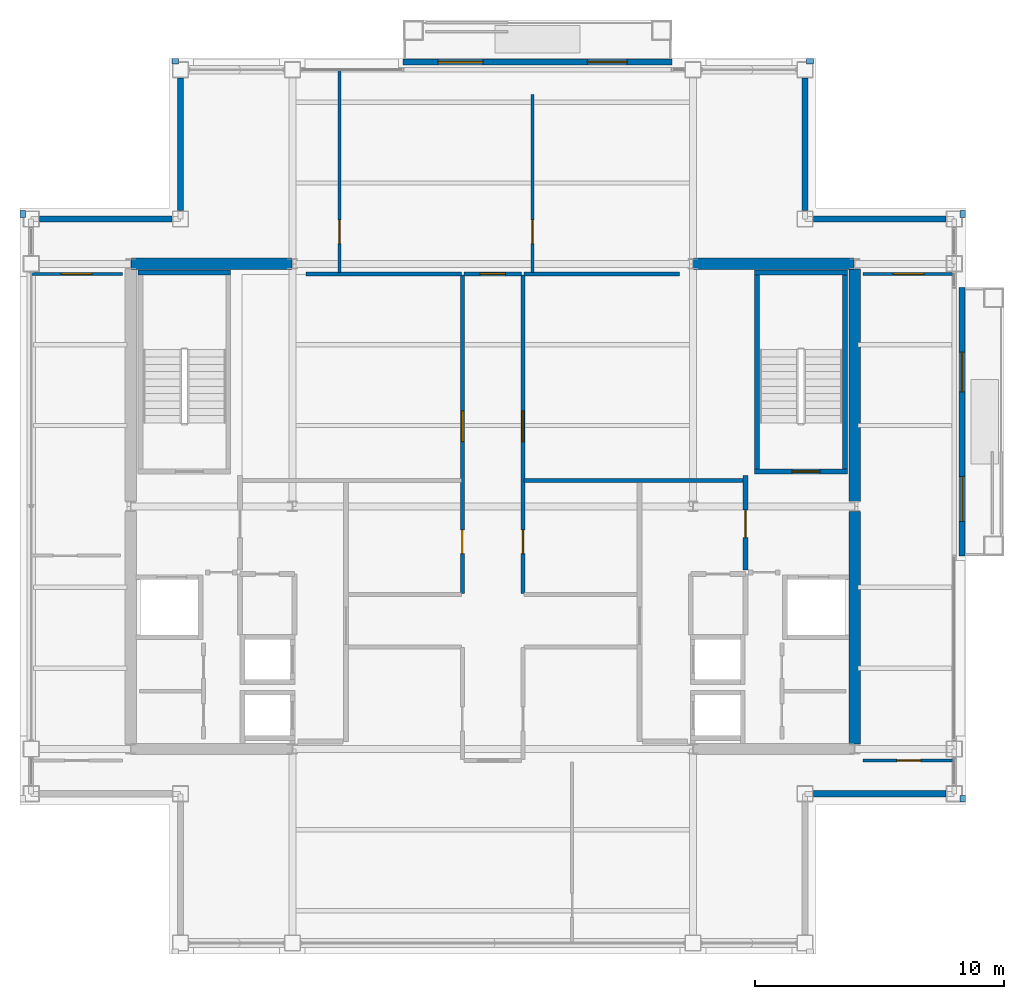
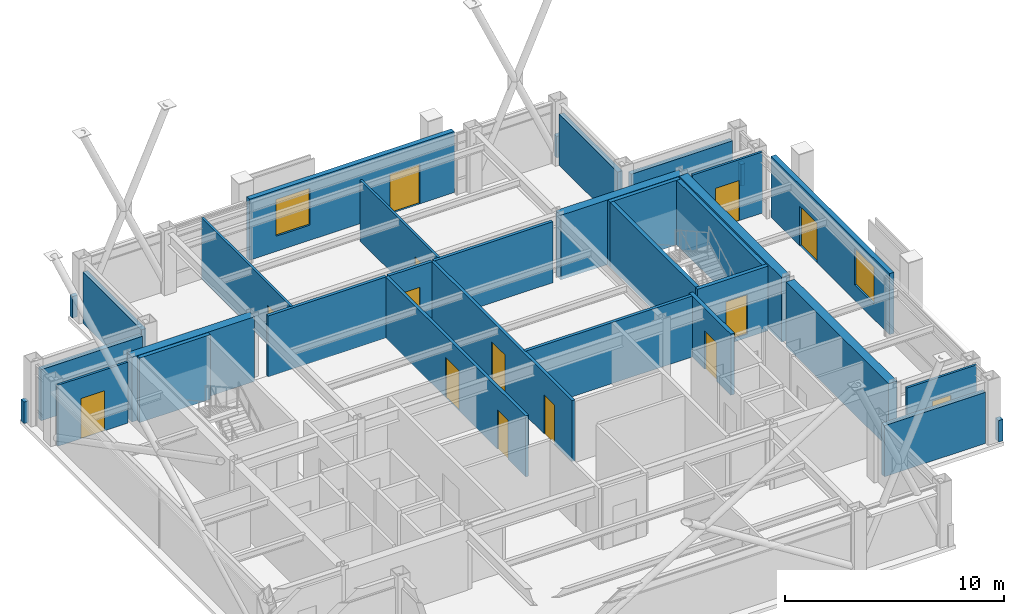
# One storey, part 25 of 28: 33 walls, 14 doors, 2 windows, 16 openings.
"""IFC4 building model written with IfcOpenShell, lengths in metres."""

from ifc_helpers import new_model, si_unit, direction, frame, frame_2d, origin, place, context, subcontext, project, spatial, rectangle, extrude, material, layer, layer_set, type_object, element, fill, save


model = new_model("IFC4")

# Units and contexts
model_context = context("Model", 3, precision=1e-05, world=origin(), true_north=direction((0.0, 1.0)))
body_context = subcontext(model_context, "Body", "Model", "MODEL_VIEW")
ifc_project = project(units=[si_unit("LENGTHUNIT", "METRE"), si_unit("AREAUNIT", "SQUARE_METRE"), si_unit("VOLUMEUNIT", "CUBIC_METRE"), si_unit("PLANEANGLEUNIT", "RADIAN"), si_unit("MASSUNIT", "GRAM", prefix="KILO")], contexts=[model_context])

# Site, building, storey
site_placement = place(None, origin())
site = spatial("IfcSite", under=ifc_project, at=site_placement, CompositionType="ELEMENT")
building_placement = place(site_placement, origin())
building = spatial("IfcBuilding", under=site, at=building_placement, Name="Brelmoor Portico Tower", CompositionType="ELEMENT")
storey_placement = place(building_placement, frame((0.0, 0.0, 225.60009765625)))
storey = spatial("IfcBuildingStorey", under=building, at=storey_placement, Name="L59", CompositionType="ELEMENT", Elevation=225.60009765625)

# Walls
ifc_material_1 = material(Name="Concrete C50", Category="concrete")
ifc_layer_1 = layer(ifc_material_1, 0.449951171875)
ifc_layer_set_1 = layer_set([ifc_layer_1], Name="Concrete C50")
wall_type_1 = type_object("IfcWallType", Name="WL-CORE-450", PredefinedType="SHEAR", material=ifc_layer_set_1)
for number, where, z_axis, x_axis, name in (
    (1, (-14.530029296875, 9.75, -0.2001953125), (0.0, 0.0, 1.0), (1.0, 0.0, 0.0), "L59 WC North Shear Wall"),
    (2, (8.070068359375, 9.75, -0.2001953125), (0.0, 0.0, 1.0), (1.0, 0.0, 0.0), "L59 EC North Shear Wall"),
):
    element("IfcWall", number, at=place(storey_placement, frame(where, z_axis=z_axis, x_axis=x_axis)), inside=storey, type_object=wall_type_1, Name=name, PredefinedType="SHEAR", context=body_context, shape_type="SweptSolid", body=[
        extrude(rectangle(XDim=6.4599609375, YDim=0.449951171875, at=frame_2d((3.22998046875, 0.0))), origin(), (0.0, 0.0, 1.0), 3.60009765625),
    ])
for number, where, z_axis, x_axis, name in (
    (3, (14.550048828125, -9.550048828125, -0.2001953125), (0.0, 0.0, 1.0), (0.0, 1.0, 0.0), "L59 EC Outer South Shear Wall"),
    (4, (14.550048828125, 0.199951171875, -0.2001953125), (0.0, 0.0, 1.0), (0.0, 1.0, 0.0), "L59 EC Outer North Shear Wall"),
):
    element("IfcWall", number, at=place(storey_placement, frame(where, z_axis=z_axis, x_axis=x_axis)), inside=storey, type_object=wall_type_1, Name=name, PredefinedType="SHEAR", context=body_context, shape_type="SweptSolid", body=[
        extrude(rectangle(XDim=9.35009765625, YDim=0.449951171875, at=frame_2d((4.675048828125, 0.0))), origin(), (0.0, 0.0, 1.0), 3.60009765625),
    ])

# Wall, openings, door, window
ifc_material_2 = material(Name="Precast Concrete C40 Insulated Facade Wall", Category="concrete")
ifc_layer_2 = layer(ifc_material_2, 0.25)
ifc_layer_set_2 = layer_set([ifc_layer_2], Name="Precast Concrete C40 Insulated Facade Wall")
wall_type_2 = type_object("IfcWallType", Name="WL-EXT-250", PredefinedType="STANDARD", material=ifc_layer_set_2)
wall_1_placement = place(storey_placement, frame((-3.60009765625, 17.860107421875, 0.0), z_axis=(0.0, 0.0, 1.0), x_axis=(1.0, 0.0, 0.0)))
wall_1 = element("IfcWall", 5, at=wall_1_placement, inside=storey, type_object=wall_type_2, Name="L59 Loggia Threshold Wall N-1", PredefinedType="STANDARD", context=body_context, shape_type="SweptSolid", body=[
    extrude(rectangle(XDim=10.800048828125, YDim=0.25, at=frame_2d((5.39990234375, 0.0))), origin(), (0.0, 0.0, 1.0), 3.39990234375),
])
opening_1_placement = place(wall_1_placement, frame((7.39990234375, 0.0, 0.0)))
opening_1 = element("IfcOpeningElement", 6, at=opening_1_placement, cuts=wall_1, Name="Opening D-TB1", PredefinedType="OPENING", context=body_context, shape_type="SweptSolid", body=[
    extrude(rectangle(XDim=1.60009765625, YDim=2.199951171875, at=frame_2d((0.800048828125, 1.10009765625))), frame((0.0, 0.135009765625, 0.0), z_axis=(0.0, -1.0, 0.0), x_axis=(1.0, 0.0, 0.0)), (0.0, 0.0, 1.0), 0.27001953125),
])
opening_2_placement = place(wall_1_placement, frame((1.39990234375, 0.0, 0.85009765625)))
opening_2 = element("IfcOpeningElement", 7, at=opening_2_placement, cuts=wall_1, Name="Opening W-03C", PredefinedType="OPENING", context=body_context, shape_type="SweptSolid", body=[
    extrude(rectangle(XDim=1.800048828125, YDim=2.050048828125, at=frame_2d((0.89990234375, 1.02490234375))), frame((0.0, 0.135009765625, 0.0), z_axis=(0.0, -1.0, 0.0), x_axis=(1.0, 0.0, 0.0)), (0.0, 0.0, 1.0), 0.27001953125),
])
ifc_material_3 = material(Name="Double-Leaf Thermally Broken Terrace Door", Category="aluminium")
door_type_1 = type_object("IfcDoorType", Name="DR-BALCONY-1600", OperationType="NOTDEFINED", PredefinedType="DOOR", material=ifc_material_3)
door_1_placement = place(opening_1_placement, origin())
door_1 = element("IfcDoor", 8, at=door_1_placement, inside=storey, type_object=door_type_1, Name="D-2464 L59 Tree Balcony Double Door N", OperationType="DOUBLE_DOOR_SINGLE_SWING", OverallHeight=2.199951171875, OverallWidth=1.60009765625, PredefinedType="DOOR", context=body_context, shape_type="SweptSolid", body=[
    extrude(rectangle(XDim=1.60009765625, YDim=2.199951171875, at=frame_2d((0.800048828125, 1.10009765625))), frame((0.0, 0.02490234375, 0.0), z_axis=(0.0, -1.0, 0.0), x_axis=(1.0, 0.0, 0.0)), (0.0, 0.0, 1.0), 0.050048828125),
])
fill(opening_1, door_1)
ifc_material_4 = material(Name="Thermally Broken Aluminium Low-E Window", Category="aluminium")
window_type = type_object("IfcWindowType", Name="WN-LOGGIA-1800x2050", PartitioningType="SINGLE_PANEL", PredefinedType="WINDOW", material=ifc_material_4)
window_1_placement = place(opening_2_placement, origin())
window_1 = element("IfcWindow", 9, at=window_1_placement, inside=storey, type_object=window_type, Name="L59 Loggia Window N", OverallHeight=2.050048828125, OverallWidth=1.800048828125, PartitioningType="SINGLE_PANEL", PredefinedType="WINDOW", context=body_context, shape_type="SweptSolid", body=[
    extrude(rectangle(XDim=1.800048828125, YDim=2.050048828125, at=frame_2d((0.89990234375, 1.02490234375))), frame((0.0, 0.030029296875, 0.0), z_axis=(0.0, -1.0, 0.0), x_axis=(1.0, 0.0, 0.0)), (0.0, 0.0, 1.0), 0.06005859375),
])
fill(opening_2, window_1)

wall_2_placement = place(storey_placement, frame((18.860107421875, -2.0, 0.0), z_axis=(0.0, 0.0, 1.0), x_axis=(0.0, 1.0, 0.0)))
wall_2 = element("IfcWall", 10, at=wall_2_placement, inside=storey, type_object=wall_type_2, Name="L59 Loggia Threshold Wall E-1", PredefinedType="STANDARD", context=body_context, shape_type="SweptSolid", body=[
    extrude(rectangle(XDim=10.800048828125, YDim=0.25, at=frame_2d((5.39990234375, 0.0))), origin(), (0.0, 0.0, 1.0), 3.39990234375),
])
opening_3_placement = place(wall_2_placement, frame((6.60009765625, 0.0, 0.0)))
opening_3 = element("IfcOpeningElement", 11, at=opening_3_placement, cuts=wall_2, Name="Opening D-TB1", PredefinedType="OPENING", context=body_context, shape_type="SweptSolid", body=[
    extrude(rectangle(XDim=1.60009765625, YDim=2.199951171875, at=frame_2d((0.800048828125, 1.10009765625))), frame((0.0, 0.135009765625, 0.0), z_axis=(0.0, -1.0, 0.0), x_axis=(1.0, 0.0, 0.0)), (0.0, 0.0, 1.0), 0.27001953125),
])
opening_4_placement = place(wall_2_placement, frame((1.39990234375, 0.0, 0.85009765625)))
opening_4 = element("IfcOpeningElement", 12, at=opening_4_placement, cuts=wall_2, Name="Opening W-03C", PredefinedType="OPENING", context=body_context, shape_type="SweptSolid", body=[
    extrude(rectangle(XDim=1.800048828125, YDim=2.050048828125, at=frame_2d((0.89990234375, 1.02490234375))), frame((0.0, 0.135009765625, 0.0), z_axis=(0.0, -1.0, 0.0), x_axis=(1.0, 0.0, 0.0)), (0.0, 0.0, 1.0), 0.27001953125),
])
door_2_placement = place(opening_3_placement, origin())
door_2 = element("IfcDoor", 13, at=door_2_placement, inside=storey, type_object=door_type_1, Name="D-2463 L59 Tree Balcony Double Door E", OperationType="DOUBLE_DOOR_SINGLE_SWING", OverallHeight=2.199951171875, OverallWidth=1.60009765625, PredefinedType="DOOR", context=body_context, shape_type="SweptSolid", body=[
    extrude(rectangle(XDim=1.60009765625, YDim=2.199951171875, at=frame_2d((0.800048828125, 1.10009765625))), frame((0.0, 0.02490234375, 0.0), z_axis=(0.0, -1.0, 0.0), x_axis=(1.0, 0.0, 0.0)), (0.0, 0.0, 1.0), 0.050048828125),
])
fill(opening_3, door_2)
window_2_placement = place(opening_4_placement, origin())
window_2 = element("IfcWindow", 14, at=window_2_placement, inside=storey, type_object=window_type, Name="L59 Loggia Window E", OverallHeight=2.050048828125, OverallWidth=1.800048828125, PartitioningType="SINGLE_PANEL", PredefinedType="WINDOW", context=body_context, shape_type="SweptSolid", body=[
    extrude(rectangle(XDim=1.800048828125, YDim=2.050048828125, at=frame_2d((0.89990234375, 1.02490234375))), frame((0.0, 0.030029296875, 0.0), z_axis=(0.0, -1.0, 0.0), x_axis=(1.0, 0.0, 0.0)), (0.0, 0.0, 1.0), 0.06005859375),
])
fill(opening_4, window_2)

# Walls
for number, where, z_axis, x_axis, name in (
    (15, (12.885009765625, -11.550048828125, 0.0), (0.0, 0.0, 1.0), (1.0, 0.0, 0.0), "L59 Corner Notch Facade Wall NSEH1"),
    (16, (-18.215087890625, 11.550048828125, 0.0), (0.0, 0.0, 1.0), (1.0, 0.0, 0.0), "L59 Corner Notch Facade Wall NNWH1"),
    (17, (-12.550048828125, 11.885009765625, 0.0), (0.0, 0.0, 1.0), (0.0, 1.0, 0.0), "L59 Corner Notch Facade Wall NNWV1"),
    (18, (12.885009765625, 11.550048828125, 0.0), (0.0, 0.0, 1.0), (1.0, 0.0, 0.0), "L59 Corner Notch Facade Wall NNEH1"),
    (19, (12.550048828125, 11.885009765625, 0.0), (0.0, 0.0, 1.0), (0.0, 1.0, 0.0), "L59 Corner Notch Facade Wall NNEV1"),
):
    element("IfcWall", number, at=place(storey_placement, frame(where, z_axis=z_axis, x_axis=x_axis)), inside=storey, type_object=wall_type_2, Name=name, PredefinedType="STANDARD", context=body_context, shape_type="SweptSolid", body=[
        extrude(rectangle(XDim=5.330078125, YDim=0.25, at=frame_2d((2.6650390625, 0.0))), origin(), (0.0, 0.0, 1.0), 2.849853515625),
    ])
ifc_material_5 = material(Name="Concrete C40 Parapet Upstand", Category="concrete")
ifc_layer_3 = layer(ifc_material_5, 0.219970703125)
ifc_layer_set_3 = layer_set([ifc_layer_3], Name="Concrete C40 Parapet Upstand")
wall_type_3 = type_object("IfcWallType", Name="WL-PARAPET-220", PredefinedType="PARAPET", material=ifc_layer_set_3)
for number, where, z_axis, x_axis, name in (
    (20, (18.889892578125, -11.889892578125, 0.0), (0.0, 0.0, 1.0), (0.0, 1.0, 0.0), "L59 Chamfer Vertex Parapet Pier SE2"),
    (21, (-12.889892578125, 17.889892578125, 0.0), (0.0, 0.0, 1.0), (1.0, 0.0, 0.0), "L59 Chamfer Vertex Parapet Pier NW1"),
    (22, (-18.889892578125, 11.6201171875, 0.0), (0.0, 0.0, 1.0), (0.0, 1.0, 0.0), "L59 Chamfer Vertex Parapet Pier NW2"),
    (23, (12.6201171875, 17.889892578125, 0.0), (0.0, 0.0, 1.0), (1.0, 0.0, 0.0), "L59 Chamfer Vertex Parapet Pier NE1"),
    (24, (18.889892578125, 11.6201171875, 0.0), (0.0, 0.0, 1.0), (0.0, 1.0, 0.0), "L59 Chamfer Vertex Parapet Pier NE2"),
):
    element("IfcWall", number, at=place(storey_placement, frame(where, z_axis=z_axis, x_axis=x_axis)), inside=storey, type_object=wall_type_3, Name=name, PredefinedType="PARAPET", context=body_context, shape_type="SweptSolid", body=[
        extrude(rectangle(XDim=0.269775390625, YDim=0.219970703125, at=frame_2d((0.134765625, 0.0))), origin(), (0.0, 0.0, 1.0), 1.199951171875),
    ])

# Wall, opening, door
ifc_material_6 = material(Name="Lightweight Gypsum Office Partition", Category="gypsum")
ifc_layer_4 = layer(ifc_material_6, 0.1201171875)
ifc_layer_set_4 = layer_set([ifc_layer_4], Name="Lightweight Gypsum Office Partition")
wall_type_4 = type_object("IfcWallType", Name="WL-PART-120", PredefinedType="PARTITIONING", material=ifc_layer_set_4)
wall_3_placement = place(storey_placement, frame((-6.161376953125, 9.409912109375, 0.0), z_axis=(0.0, 0.0, 1.0), x_axis=(0.0, 1.0, 0.0)))
wall_3 = element("IfcWall", 25, at=wall_3_placement, inside=storey, type_object=wall_type_4, Name="L59 North Suite Partition 1", PredefinedType="PARTITIONING", context=body_context, shape_type="SweptSolid", body=[
    extrude(rectangle(XDim=8.150146484375, YDim=0.1201171875, at=frame_2d((4.0751953125, 0.0))), origin(), (0.0, 0.0, 1.0), 3.39990234375),
])
opening_5_placement = place(wall_3_placement, frame((1.14990234375, 0.0, 0.0)))
opening_5 = element("IfcOpeningElement", 26, at=opening_5_placement, cuts=wall_3, Name="Opening D-IN2", PredefinedType="OPENING", context=body_context, shape_type="SweptSolid", body=[
    extrude(rectangle(XDim=0.9599609375, YDim=2.179931640625, at=frame_2d((0.47998046875, 1.08984375))), frame((0.0, 0.070068359375, 0.0), z_axis=(0.0, -1.0, 0.0), x_axis=(1.0, 0.0, 0.0)), (0.0, 0.0, 1.0), 0.14013671875),
])
ifc_material_7 = material(Name="Lacquered Timber Suite Door", Category="wood")
door_type_2 = type_object("IfcDoorType", Name="DR-INT-950", OperationType="NOTDEFINED", PredefinedType="DOOR", material=ifc_material_7)
door_3_placement = place(opening_5_placement, origin())
door_3 = element("IfcDoor", 27, at=door_3_placement, inside=storey, type_object=door_type_2, Name="D-2453 L59 North Suite Connecting Door 1", OperationType="SINGLE_SWING_LEFT", OverallHeight=2.179931640625, OverallWidth=0.9599609375, PredefinedType="DOOR", context=body_context, shape_type="SweptSolid", body=[
    extrude(rectangle(XDim=0.9599609375, YDim=2.179931640625, at=frame_2d((0.47998046875, 1.08984375))), frame((0.0, 0.02490234375, 0.0), z_axis=(0.0, -1.0, 0.0), x_axis=(1.0, 0.0, 0.0)), (0.0, 0.0, 1.0), 0.050048828125),
])
fill(opening_5, door_3)

wall_4_placement = place(storey_placement, frame((1.597412109375, 9.409912109375, 0.0), z_axis=(0.0, 0.0, 1.0), x_axis=(0.0, 1.0, 0.0)))
wall_4 = element("IfcWall", 28, at=wall_4_placement, inside=storey, type_object=wall_type_4, Name="L59 North Suite Partition 2", PredefinedType="PARTITIONING", context=body_context, shape_type="SweptSolid", body=[
    extrude(rectangle(XDim=7.14013671875, YDim=0.1201171875, at=frame_2d((3.570068359375, 0.0))), origin(), (0.0, 0.0, 1.0), 3.39990234375),
])
opening_6_placement = place(wall_4_placement, frame((1.14990234375, 0.0, 0.0)))
opening_6 = element("IfcOpeningElement", 29, at=opening_6_placement, cuts=wall_4, Name="Opening D-IN2", PredefinedType="OPENING", context=body_context, shape_type="SweptSolid", body=[
    extrude(rectangle(XDim=0.9599609375, YDim=2.179931640625, at=frame_2d((0.47998046875, 1.08984375))), frame((0.0, 0.070068359375, 0.0), z_axis=(0.0, -1.0, 0.0), x_axis=(1.0, 0.0, 0.0)), (0.0, 0.0, 1.0), 0.14013671875),
])
door_4_placement = place(opening_6_placement, origin())
door_4 = element("IfcDoor", 30, at=door_4_placement, inside=storey, type_object=door_type_2, Name="D-2454 L59 North Suite Connecting Door 2", OperationType="SINGLE_SWING_RIGHT", OverallHeight=2.179931640625, OverallWidth=0.9599609375, PredefinedType="DOOR", context=body_context, shape_type="SweptSolid", body=[
    extrude(rectangle(XDim=0.9599609375, YDim=2.179931640625, at=frame_2d((0.47998046875, 1.08984375))), frame((0.0, 0.02490234375, 0.0), z_axis=(0.0, -1.0, 0.0), x_axis=(1.0, 0.0, 0.0)), (0.0, 0.0, 1.0), 0.050048828125),
])
fill(opening_6, door_4)

wall_5_placement = place(storey_placement, frame((-18.56005859375, 9.35009765625, 0.0), z_axis=(0.0, 0.0, 1.0), x_axis=(1.0, 0.0, 0.0)))
wall_5 = element("IfcWall", 31, at=wall_5_placement, inside=storey, type_object=wall_type_4, Name="L59 North Wing Suite Wall WL", PredefinedType="PARTITIONING", context=body_context, shape_type="SweptSolid", body=[
    extrude(rectangle(XDim=3.68017578125, YDim=0.1201171875, at=frame_2d((1.840087890625, 0.0))), origin(), (0.0, 0.0, 1.0), 3.39990234375),
])
opening_7_placement = place(wall_5_placement, frame((1.219970703125, 0.0, 0.0)))
opening_7 = element("IfcOpeningElement", 32, at=opening_7_placement, cuts=wall_5, Name="Opening D-SU1", PredefinedType="OPENING", context=body_context, shape_type="SweptSolid", body=[
    extrude(rectangle(XDim=1.239990234375, YDim=2.239990234375, at=frame_2d((0.6201171875, 1.1201171875))), frame((0.0, 0.070068359375, 0.0), z_axis=(0.0, -1.0, 0.0), x_axis=(1.0, 0.0, 0.0)), (0.0, 0.0, 1.0), 0.14013671875),
])
ifc_material_8 = material(Name="Glazed Timber Executive Suite Door", Category="wood")
door_type_3 = type_object("IfcDoorType", Name="DR-SUITE-1200", OperationType="NOTDEFINED", PredefinedType="DOOR", material=ifc_material_8)
door_5_placement = place(opening_7_placement, origin())
door_5 = element("IfcDoor", 33, at=door_5_placement, inside=storey, type_object=door_type_3, Name="D-2456 L59 WL Wing Suite Connecting Door", OperationType="SINGLE_SWING_RIGHT", OverallHeight=2.239990234375, OverallWidth=1.239990234375, PredefinedType="DOOR", context=body_context, shape_type="SweptSolid", body=[
    extrude(rectangle(XDim=1.239990234375, YDim=2.239990234375, at=frame_2d((0.6201171875, 1.1201171875))), frame((0.0, 0.02490234375, 0.0), z_axis=(0.0, -1.0, 0.0), x_axis=(1.0, 0.0, 0.0)), (0.0, 0.0, 1.0), 0.050048828125),
])
fill(opening_7, door_5)

wall_6_placement = place(storey_placement, frame((14.8798828125, 9.35009765625, 0.0), z_axis=(0.0, 0.0, 1.0), x_axis=(1.0, 0.0, 0.0)))
wall_6 = element("IfcWall", 34, at=wall_6_placement, inside=storey, type_object=wall_type_4, Name="L59 North Wing Suite Wall ER", PredefinedType="PARTITIONING", context=body_context, shape_type="SweptSolid", body=[
    extrude(rectangle(XDim=3.68017578125, YDim=0.1201171875, at=frame_2d((1.840087890625, 0.0))), origin(), (0.0, 0.0, 1.0), 3.39990234375),
])
opening_8_placement = place(wall_6_placement, frame((1.219970703125, 0.0, 0.0)))
opening_8 = element("IfcOpeningElement", 35, at=opening_8_placement, cuts=wall_6, Name="Opening D-SU1", PredefinedType="OPENING", context=body_context, shape_type="SweptSolid", body=[
    extrude(rectangle(XDim=1.239990234375, YDim=2.239990234375, at=frame_2d((0.6201171875, 1.1201171875))), frame((0.0, 0.070068359375, 0.0), z_axis=(0.0, -1.0, 0.0), x_axis=(1.0, 0.0, 0.0)), (0.0, 0.0, 1.0), 0.14013671875),
])
door_6_placement = place(opening_8_placement, origin())
door_6 = element("IfcDoor", 36, at=door_6_placement, inside=storey, type_object=door_type_3, Name="D-2455 L59 ER Wing Suite Connecting Door", OperationType="SINGLE_SWING_LEFT", OverallHeight=2.239990234375, OverallWidth=1.239990234375, PredefinedType="DOOR", context=body_context, shape_type="SweptSolid", body=[
    extrude(rectangle(XDim=1.239990234375, YDim=2.239990234375, at=frame_2d((0.6201171875, 1.1201171875))), frame((0.0, 0.02490234375, 0.0), z_axis=(0.0, -1.0, 0.0), x_axis=(1.0, 0.0, 0.0)), (0.0, 0.0, 1.0), 0.050048828125),
])
fill(opening_8, door_6)

wall_7_placement = place(storey_placement, frame((14.8798828125, -10.2099609375, 0.0), z_axis=(0.0, 0.0, 1.0), x_axis=(1.0, 0.0, 0.0)))
wall_7 = element("IfcWall", 37, at=wall_7_placement, inside=storey, type_object=wall_type_4, Name="L59 South Wing Closure ER", PredefinedType="PARTITIONING", context=body_context, shape_type="SweptSolid", body=[
    extrude(rectangle(XDim=3.68017578125, YDim=0.1201171875, at=frame_2d((1.840087890625, 0.0))), origin(), (0.0, 0.0, 1.0), 3.39990234375),
])
opening_9_placement = place(wall_7_placement, frame((1.360107421875, 0.0, 0.0)))
opening_9 = element("IfcOpeningElement", 38, at=opening_9_placement, cuts=wall_7, Name="Opening D-IN2", PredefinedType="OPENING", context=body_context, shape_type="SweptSolid", body=[
    extrude(rectangle(XDim=0.9599609375, YDim=2.179931640625, at=frame_2d((0.47998046875, 1.08984375))), frame((0.0, 0.070068359375, 0.0), z_axis=(0.0, -1.0, 0.0), x_axis=(1.0, 0.0, 0.0)), (0.0, 0.0, 1.0), 0.14013671875),
])
door_7_placement = place(opening_9_placement, origin())
door_7 = element("IfcDoor", 39, at=door_7_placement, inside=storey, type_object=door_type_2, Name="D-2461 L59 ER Wing South Suite Door", OperationType="SINGLE_SWING_LEFT", OverallHeight=2.179931640625, OverallWidth=0.9599609375, PredefinedType="DOOR", context=body_context, shape_type="SweptSolid", body=[
    extrude(rectangle(XDim=0.9599609375, YDim=2.179931640625, at=frame_2d((0.47998046875, 1.08984375))), frame((0.0, 0.02490234375, 0.0), z_axis=(0.0, -1.0, 0.0), x_axis=(1.0, 0.0, 0.0)), (0.0, 0.0, 1.0), 0.050048828125),
])
fill(opening_9, door_7)

# Wall, openings, doors
ifc_material_9 = material(Name="Twin-Frame Acoustic Partition", Category="gypsum")
ifc_layer_5 = layer(ifc_material_9, 0.159912109375)
ifc_layer_set_5 = layer_set([ifc_layer_5], Name="Twin-Frame Acoustic Partition")
wall_type_5 = type_object("IfcWallType", Name="WL-PART-160", PredefinedType="PARTITIONING", material=ifc_layer_set_5)
wall_8_placement = place(storey_placement, frame((-1.219970703125, -3.5, 0.0), z_axis=(0.0, 0.0, 1.0), x_axis=(0.0, 1.0, 0.0)))
wall_8 = element("IfcWall", 40, at=wall_8_placement, inside=storey, type_object=wall_type_5, Name="L59 Central Cross West Wall", PredefinedType="PARTITIONING", context=body_context, shape_type="SweptSolid", body=[
    extrude(rectangle(XDim=12.81005859375, YDim=0.159912109375, at=frame_2d((6.405029296875, 0.0))), origin(), (0.0, 0.0, 1.0), 3.39990234375),
])
opening_10_placement = place(wall_8_placement, frame((6.10009765625, 0.0, 0.0)))
opening_10 = element("IfcOpeningElement", 41, at=opening_10_placement, cuts=wall_8, Name="Opening D-SU1", PredefinedType="OPENING", context=body_context, shape_type="SweptSolid", body=[
    extrude(rectangle(XDim=1.239990234375, YDim=2.239990234375, at=frame_2d((0.6201171875, 1.1201171875))), frame((0.0, 0.08984375, 0.0), z_axis=(0.0, -1.0, 0.0), x_axis=(1.0, 0.0, 0.0)), (0.0, 0.0, 1.0), 0.179931640625),
])
opening_11_placement = place(wall_8_placement, frame((1.60009765625, 0.0, 0.0)))
opening_11 = element("IfcOpeningElement", 42, at=opening_11_placement, cuts=wall_8, Name="Opening D-IN2", PredefinedType="OPENING", context=body_context, shape_type="SweptSolid", body=[
    extrude(rectangle(XDim=0.9599609375, YDim=2.179931640625, at=frame_2d((0.47998046875, 1.08984375))), frame((0.0, 0.08984375, 0.0), z_axis=(0.0, -1.0, 0.0), x_axis=(1.0, 0.0, 0.0)), (0.0, 0.0, 1.0), 0.179931640625),
])
door_8_placement = place(opening_11_placement, origin())
door_8 = element("IfcDoor", 43, at=door_8_placement, inside=storey, type_object=door_type_2, Name="D-2438 L59 Staff Pantry Door", OperationType="SINGLE_SWING_RIGHT", OverallHeight=2.179931640625, OverallWidth=0.9599609375, PredefinedType="DOOR", context=body_context, shape_type="SweptSolid", body=[
    extrude(rectangle(XDim=0.9599609375, YDim=2.179931640625, at=frame_2d((0.47998046875, 1.08984375))), frame((0.0, 0.02490234375, 0.0), z_axis=(0.0, -1.0, 0.0), x_axis=(1.0, 0.0, 0.0)), (0.0, 0.0, 1.0), 0.050048828125),
])
fill(opening_11, door_8)
door_9_placement = place(opening_10_placement, origin())
door_9 = element("IfcDoor", 44, at=door_9_placement, inside=storey, type_object=door_type_3, Name="D-2439 L59 West Reclaimed Studio Door", OperationType="SINGLE_SWING_LEFT", OverallHeight=2.239990234375, OverallWidth=1.239990234375, PredefinedType="DOOR", context=body_context, shape_type="SweptSolid", body=[
    extrude(rectangle(XDim=1.239990234375, YDim=2.239990234375, at=frame_2d((0.6201171875, 1.1201171875))), frame((0.0, 0.02490234375, 0.0), z_axis=(0.0, -1.0, 0.0), x_axis=(1.0, 0.0, 0.0)), (0.0, 0.0, 1.0), 0.050048828125),
])
fill(opening_10, door_9)

# Walls
wall_9_placement = place(storey_placement, frame((-7.5, 9.35009765625, 0.0), z_axis=(0.0, 0.0, 1.0), x_axis=(1.0, 0.0, 0.0)))
element("IfcWall", 45, at=wall_9_placement, inside=storey, type_object=wall_type_5, Name="L59 West Reclaimed Suite North Wall", PredefinedType="PARTITIONING", context=body_context, shape_type="SweptSolid", body=[
    extrude(rectangle(XDim=6.239990234375, YDim=0.159912109375, at=frame_2d((3.1201171875, 0.0))), origin(), (0.0, 0.0, 1.0), 3.39990234375),
])
wall_10_placement = place(storey_placement, frame((1.260009765625, 1.050048828125, 0.0), z_axis=(0.0, 0.0, 1.0), x_axis=(1.0, 0.0, 0.0)))
element("IfcWall", 46, at=wall_10_placement, inside=storey, type_object=wall_type_5, Name="L59 East Suite South Wall", PredefinedType="PARTITIONING", context=body_context, shape_type="SweptSolid", body=[
    extrude(rectangle(XDim=8.800048828125, YDim=0.159912109375, at=frame_2d((4.39990234375, 0.0))), origin(), (0.0, 0.0, 1.0), 3.39990234375),
])

# Wall, openings, doors
wall_11_placement = place(storey_placement, frame((1.219970703125, -3.5, 0.0), z_axis=(0.0, 0.0, 1.0), x_axis=(0.0, 1.0, 0.0)))
wall_11 = element("IfcWall", 47, at=wall_11_placement, inside=storey, type_object=wall_type_5, Name="L59 Central Cross East Wall", PredefinedType="PARTITIONING", context=body_context, shape_type="SweptSolid", body=[
    extrude(rectangle(XDim=12.81005859375, YDim=0.159912109375, at=frame_2d((6.405029296875, 0.0))), origin(), (0.0, 0.0, 1.0), 3.39990234375),
])
opening_12_placement = place(wall_11_placement, frame((6.10009765625, 0.0, 0.0)))
opening_12 = element("IfcOpeningElement", 48, at=opening_12_placement, cuts=wall_11, Name="Opening D-SU1", PredefinedType="OPENING", context=body_context, shape_type="SweptSolid", body=[
    extrude(rectangle(XDim=1.239990234375, YDim=2.239990234375, at=frame_2d((0.6201171875, 1.1201171875))), frame((0.0, 0.08984375, 0.0), z_axis=(0.0, -1.0, 0.0), x_axis=(1.0, 0.0, 0.0)), (0.0, 0.0, 1.0), 0.179931640625),
])
opening_13_placement = place(wall_11_placement, frame((1.60009765625, 0.0, 0.0)))
opening_13 = element("IfcOpeningElement", 49, at=opening_13_placement, cuts=wall_11, Name="Opening D-IN2", PredefinedType="OPENING", context=body_context, shape_type="SweptSolid", body=[
    extrude(rectangle(XDim=0.9599609375, YDim=2.179931640625, at=frame_2d((0.47998046875, 1.08984375))), frame((0.0, 0.08984375, 0.0), z_axis=(0.0, -1.0, 0.0), x_axis=(1.0, 0.0, 0.0)), (0.0, 0.0, 1.0), 0.179931640625),
])
door_10_placement = place(opening_13_placement, origin())
door_10 = element("IfcDoor", 50, at=door_10_placement, inside=storey, type_object=door_type_2, Name="D-2434 L59 Client Project Office Door", OperationType="SINGLE_SWING_RIGHT", OverallHeight=2.179931640625, OverallWidth=0.9599609375, PredefinedType="DOOR", context=body_context, shape_type="SweptSolid", body=[
    extrude(rectangle(XDim=0.9599609375, YDim=2.179931640625, at=frame_2d((0.47998046875, 1.08984375))), frame((0.0, 0.02490234375, 0.0), z_axis=(0.0, -1.0, 0.0), x_axis=(1.0, 0.0, 0.0)), (0.0, 0.0, 1.0), 0.050048828125),
])
fill(opening_13, door_10)
door_11_placement = place(opening_12_placement, origin())
door_11 = element("IfcDoor", 51, at=door_11_placement, inside=storey, type_object=door_type_3, Name="D-2435 L59 East Reclaimed Studio Door", OperationType="SINGLE_SWING_LEFT", OverallHeight=2.239990234375, OverallWidth=1.239990234375, PredefinedType="DOOR", context=body_context, shape_type="SweptSolid", body=[
    extrude(rectangle(XDim=1.239990234375, YDim=2.239990234375, at=frame_2d((0.6201171875, 1.1201171875))), frame((0.0, 0.02490234375, 0.0), z_axis=(0.0, -1.0, 0.0), x_axis=(1.0, 0.0, 0.0)), (0.0, 0.0, 1.0), 0.050048828125),
])
fill(opening_12, door_11)

# Wall
wall_12_placement = place(storey_placement, frame((1.260009765625, 9.35009765625, 0.0), z_axis=(0.0, 0.0, 1.0), x_axis=(1.0, 0.0, 0.0)))
element("IfcWall", 52, at=wall_12_placement, inside=storey, type_object=wall_type_5, Name="L59 East Suite North Wall", PredefinedType="PARTITIONING", context=body_context, shape_type="SweptSolid", body=[
    extrude(rectangle(XDim=6.239990234375, YDim=0.159912109375, at=frame_2d((3.1201171875, 0.0))), origin(), (0.0, 0.0, 1.0), 3.39990234375),
])

# Wall, opening, door
wall_13_placement = place(storey_placement, frame((-1.14990234375, 9.35009765625, 0.0), z_axis=(0.0, 0.0, 1.0), x_axis=(1.0, 0.0, 0.0)))
wall_13 = element("IfcWall", 53, at=wall_13_placement, inside=storey, type_object=wall_type_5, Name="L59 North Corridor Partition", PredefinedType="PARTITIONING", context=body_context, shape_type="SweptSolid", body=[
    extrude(rectangle(XDim=2.2998046875, YDim=0.159912109375, at=frame_2d((1.14990234375, 0.0))), origin(), (0.0, 0.0, 1.0), 3.39990234375),
])
opening_14_placement = place(wall_13_placement, frame((0.639892578125, 0.0, 0.0)))
opening_14 = element("IfcOpeningElement", 54, at=opening_14_placement, cuts=wall_13, Name="Opening D-OF1", PredefinedType="OPENING", context=body_context, shape_type="SweptSolid", body=[
    extrude(rectangle(XDim=1.02001953125, YDim=2.199951171875, at=frame_2d((0.510009765625, 1.10009765625))), frame((0.0, 0.08984375, 0.0), z_axis=(0.0, -1.0, 0.0), x_axis=(1.0, 0.0, 0.0)), (0.0, 0.0, 1.0), 0.179931640625),
])
ifc_material_10 = material(Name="Hardwood Acoustic Veneer Door", Category="wood")
door_type_4 = type_object("IfcDoorType", Name="DR-OFFICE-1000", OperationType="NOTDEFINED", PredefinedType="DOOR", material=ifc_material_10)
door_12_placement = place(opening_14_placement, origin())
door_12 = element("IfcDoor", 55, at=door_12_placement, inside=storey, type_object=door_type_4, Name="D-2452 L59 North Quiet Reading Lounge 2 Door", OperationType="SINGLE_SWING_LEFT", OverallHeight=2.199951171875, OverallWidth=1.02001953125, PredefinedType="DOOR", context=body_context, shape_type="SweptSolid", body=[
    extrude(rectangle(XDim=1.02001953125, YDim=2.199951171875, at=frame_2d((0.510009765625, 1.10009765625))), frame((0.0, 0.02490234375, 0.0), z_axis=(0.0, -1.0, 0.0), x_axis=(1.0, 0.0, 0.0)), (0.0, 0.0, 1.0), 0.050048828125),
])
fill(opening_14, door_12)

ifc_material_11 = material(Name="Double-Stud Gypsum Fire Partition", Category="gypsum")
ifc_layer_6 = layer(ifc_material_11, 0.199951171875)
ifc_layer_set_6 = layer_set([ifc_layer_6], Name="Double-Stud Gypsum Fire Partition")
wall_type_6 = type_object("IfcWallType", Name="WL-PART-200", PredefinedType="PARTITIONING", material=ifc_layer_set_6)
wall_14_placement = place(storey_placement, frame((10.159912109375, -2.550048828125, 0.0), z_axis=(0.0, 0.0, 1.0), x_axis=(0.0, 1.0, 0.0)))
wall_14 = element("IfcWall", 56, at=wall_14_placement, inside=storey, type_object=wall_type_6, Name="L59 E Firefighting Lobby Wall", PredefinedType="PARTITIONING", context=body_context, shape_type="SweptSolid", body=[
    extrude(rectangle(XDim=3.800048828125, YDim=0.199951171875, at=frame_2d((1.89990234375, 0.0))), origin(), (0.0, 0.0, 1.0), 3.39990234375),
])
opening_15_placement = place(wall_14_placement, frame((1.300048828125, 0.0, 0.0)))
opening_15 = element("IfcOpeningElement", 57, at=opening_15_placement, cuts=wall_14, Name="Opening D-FR1", PredefinedType="OPENING", context=body_context, shape_type="SweptSolid", body=[
    extrude(rectangle(XDim=1.10009765625, YDim=2.14990234375, at=frame_2d((0.550048828125, 1.074951171875))), frame((0.0, 0.10986328125, 0.0), z_axis=(0.0, -1.0, 0.0), x_axis=(1.0, 0.0, 0.0)), (0.0, 0.0, 1.0), 0.219970703125),
])
ifc_material_12 = material(Name="Painted Galvanised Steel Fire Door", Category="steel")
door_type_5 = type_object("IfcDoorType", Name="DR-FIRE-1100", OperationType="NOTDEFINED", PredefinedType="DOOR", material=ifc_material_12)
door_13_placement = place(opening_15_placement, origin())
door_13 = element("IfcDoor", 58, at=door_13_placement, inside=storey, type_object=door_type_5, Name="D-2448 L59 E Firefighting Lobby Door", OperationType="SINGLE_SWING_RIGHT", OverallHeight=2.14990234375, OverallWidth=1.10009765625, PredefinedType="DOOR", context=body_context, shape_type="SweptSolid", body=[
    extrude(rectangle(XDim=1.10009765625, YDim=2.14990234375, at=frame_2d((0.550048828125, 1.074951171875))), frame((0.0, 0.02490234375, 0.0), z_axis=(0.0, -1.0, 0.0), x_axis=(1.0, 0.0, 0.0)), (0.0, 0.0, 1.0), 0.050048828125),
])
fill(opening_15, door_13)

# Walls
ifc_material_13 = material(Name="Concrete C40", Category="concrete")
ifc_layer_7 = layer(ifc_material_13, 0.199951171875)
ifc_layer_set_7 = layer_set([ifc_layer_7], Name="Concrete C40")
wall_type_7 = type_object("IfcWallType", Name="WL-SHAFT-RC200", PredefinedType="SOLIDWALL", material=ifc_layer_set_7)
wall_15_placement = place(storey_placement, frame((14.14990234375, 1.5, -0.2001953125), z_axis=(0.0, 0.0, 1.0), x_axis=(0.0, 1.0, 0.0)))
element("IfcWall", 59, at=wall_15_placement, inside=storey, type_object=wall_type_7, Name="L59 ST-E Structural Stair Wall Outer", PredefinedType="SOLIDWALL", context=body_context, shape_type="SweptSolid", body=[
    extrude(rectangle(XDim=7.800048828125, YDim=0.199951171875, at=frame_2d((3.89990234375, 0.0))), origin(), (0.0, 0.0, 1.0), 3.60009765625),
])
wall_16_placement = place(storey_placement, frame((-14.25, 9.39990234375, -0.2001953125), z_axis=(0.0, 0.0, 1.0), x_axis=(1.0, 0.0, 0.0)))
element("IfcWall", 60, at=wall_16_placement, inside=storey, type_object=wall_type_7, Name="L59 ST-W Structural Stair Wall N", PredefinedType="SOLIDWALL", context=body_context, shape_type="SweptSolid", body=[
    extrude(rectangle(XDim=3.719970703125, YDim=0.199951171875, at=frame_2d((1.85986328125, 0.0))), origin(), (0.0, 0.0, 1.0), 3.60009765625),
])

# Wall, opening, door
wall_17_placement = place(storey_placement, frame((10.530029296875, 1.39990234375, -0.2001953125), z_axis=(0.0, 0.0, 1.0), x_axis=(1.0, 0.0, 0.0)))
wall_17 = element("IfcWall", 61, at=wall_17_placement, inside=storey, type_object=wall_type_7, Name="L59 ST-E Structural Stair Wall S", PredefinedType="SOLIDWALL", context=body_context, shape_type="SweptSolid", body=[
    extrude(rectangle(XDim=3.719970703125, YDim=0.199951171875, at=frame_2d((1.85986328125, 0.0))), origin(), (0.0, 0.0, 1.0), 3.60009765625),
])
opening_16_placement = place(wall_17_placement, frame((1.5, 0.0, 0.199951171875)))
opening_16 = element("IfcOpeningElement", 62, at=opening_16_placement, cuts=wall_17, Name="Opening D-ST1", PredefinedType="OPENING", context=body_context, shape_type="SweptSolid", body=[
    extrude(rectangle(XDim=1.1201171875, YDim=2.179931640625, at=frame_2d((0.56005859375, 1.08984375))), frame((0.0, 0.10986328125, 0.0), z_axis=(0.0, -1.0, 0.0), x_axis=(1.0, 0.0, 0.0)), (0.0, 0.0, 1.0), 0.219970703125),
])
door_type_6 = type_object("IfcDoorType", Name="DR-STAIR-1100", OperationType="NOTDEFINED", PredefinedType="DOOR", material=ifc_material_12)
door_14_placement = place(opening_16_placement, origin())
door_14 = element("IfcDoor", 63, at=door_14_placement, inside=storey, type_object=door_type_6, Name="D-2459 L59 ST-E Protected Exit Stair Door", OperationType="SINGLE_SWING_RIGHT", OverallHeight=2.179931640625, OverallWidth=1.1201171875, PredefinedType="DOOR", context=body_context, shape_type="SweptSolid", body=[
    extrude(rectangle(XDim=1.1201171875, YDim=2.179931640625, at=frame_2d((0.56005859375, 1.08984375))), frame((0.0, 0.02490234375, 0.0), z_axis=(0.0, -1.0, 0.0), x_axis=(1.0, 0.0, 0.0)), (0.0, 0.0, 1.0), 0.050048828125),
])
fill(opening_16, door_14)

# Walls
wall_18_placement = place(storey_placement, frame((10.530029296875, 9.39990234375, -0.2001953125), z_axis=(0.0, 0.0, 1.0), x_axis=(1.0, 0.0, 0.0)))
element("IfcWall", 64, at=wall_18_placement, inside=storey, type_object=wall_type_7, Name="L59 ST-E Structural Stair Wall N", PredefinedType="SOLIDWALL", context=body_context, shape_type="SweptSolid", body=[
    extrude(rectangle(XDim=3.719970703125, YDim=0.199951171875, at=frame_2d((1.85986328125, 0.0))), origin(), (0.0, 0.0, 1.0), 3.60009765625),
])
wall_19_placement = place(storey_placement, frame((10.6298828125, 1.5, -0.2001953125), z_axis=(0.0, 0.0, 1.0), x_axis=(0.0, 1.0, 0.0)))
element("IfcWall", 65, at=wall_19_placement, inside=storey, type_object=wall_type_7, Name="L59 ST-E Structural Stair Wall Inner", PredefinedType="SOLIDWALL", context=body_context, shape_type="SweptSolid", body=[
    extrude(rectangle(XDim=7.800048828125, YDim=0.199951171875, at=frame_2d((3.89990234375, 0.0))), origin(), (0.0, 0.0, 1.0), 3.60009765625),
])

save(model, "model.ifc")
